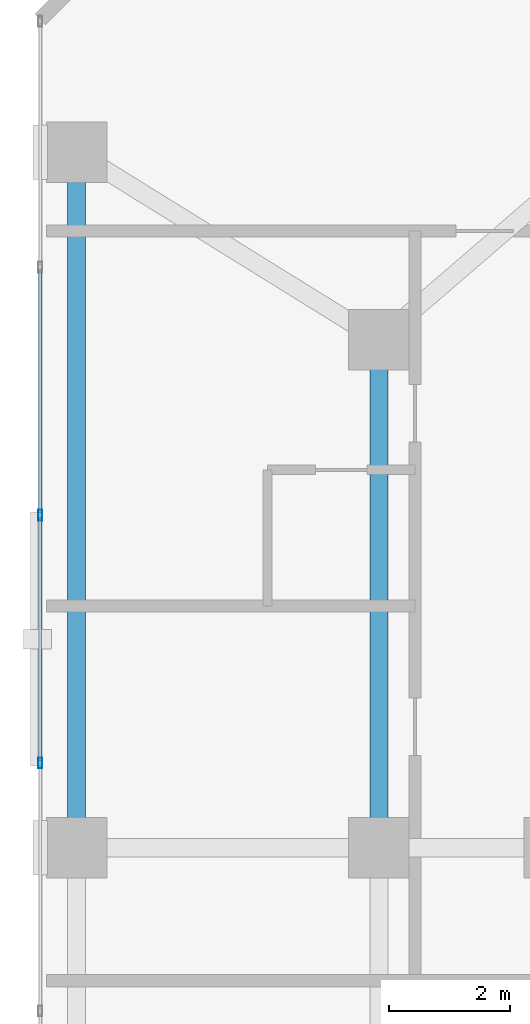
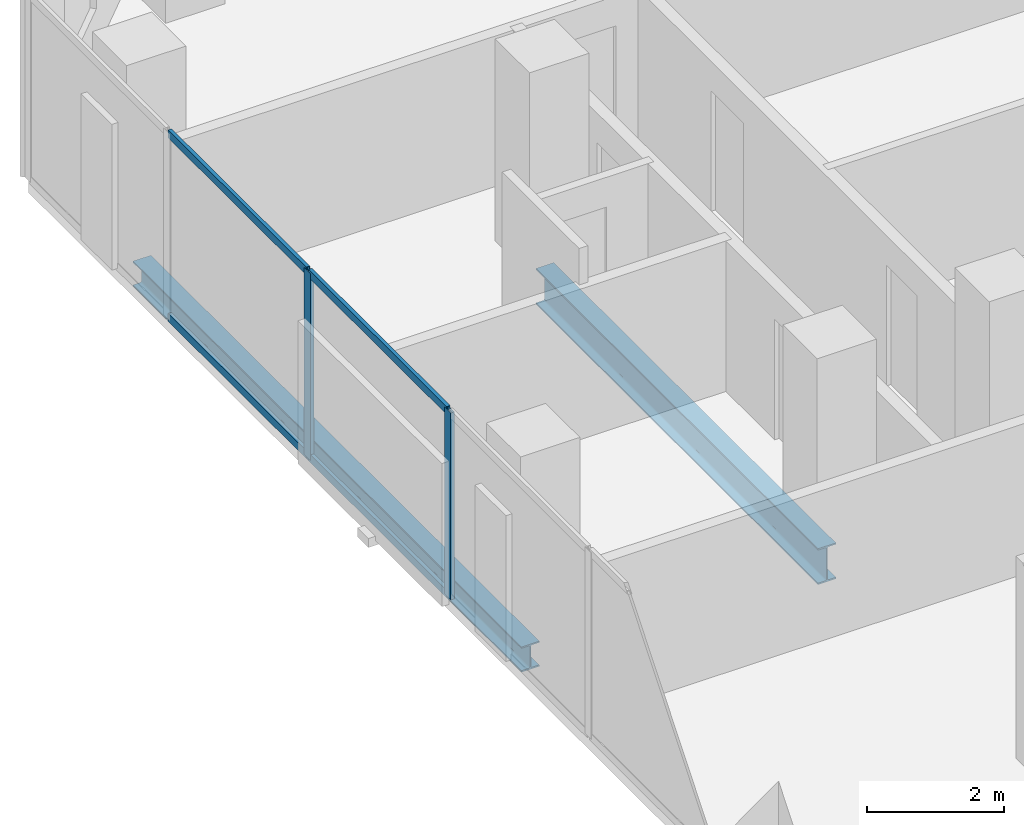
# One storey, part 16 of 31: 6 members, 2 beams, 1 element without a shape of its own.
"""IFC4 building model written with IfcOpenShell, lengths in metres."""

import ifcopenshell
import ifcopenshell.guid

model = None  # the IFC model being written
_history = None  # IfcOwnerHistory: only IFC2X3 demands one
_inside = {}  # id of a spatial element -> (the spatial element, [elements in it])
_under = {}  # id of a project, library or spatial element -> (it, [spatial elements below it])
_declared = {}  # id of a project -> (the project, [libraries it declares])
_typed = {}  # id of a type object -> (the type object, [elements of that type])
_made_of = {}  # id of a material, layer set ... -> (it, [elements and type objects made of it])


def new_model(schema):
    """Start an empty IFC model of exactly this schema.

    Asked for "IFC4X3", IfcOpenShell would pick the latest addendum, in which some entities
    have other attributes; the version numbers below select the first issue.
    IFC2X3 requires an IfcOwnerHistory on every rooted entity: one is made here for all.
    """
    global model, _history
    if schema == "IFC4X3":
        model = ifcopenshell.file(schema_version=(4, 3, 0, 0))
    else:
        model = ifcopenshell.file(schema=schema)
    _inside.clear()
    _under.clear()
    _declared.clear()
    _typed.clear()
    _made_of.clear()
    _history = None
    if model.schema == "IFC2X3":
        org = make("IfcOrganization", Name="unknown")
        user = make(
            "IfcPersonAndOrganization",
            ThePerson=make("IfcPerson", FamilyName="unknown"),
            TheOrganization=org,
        )
        app = make(
            "IfcApplication",
            ApplicationDeveloper=org,
            Version="unknown",
            ApplicationFullName="unknown",
            ApplicationIdentifier="unknown",
        )
        _history = make(
            "IfcOwnerHistory",
            OwningUser=user,
            OwningApplication=app,
            ChangeAction="ADDED",
            CreationDate=0,
        )
    return model


def make(cls, **values):
    """One entity of the class cls with the attributes given. An attribute that is None is left unset."""
    return model.create_entity(
        cls, **{name: value for name, value in values.items() if value is not None}
    )


def rooted(cls, **values):
    """An entity with a GlobalId (a new one), such as an element, a storey or a relation."""
    return make(cls, GlobalId=ifcopenshell.guid.new(), OwnerHistory=_history, **values)


def si_unit(unit_type, name, prefix=None):
    """IfcSIUnit, for example si_unit("LENGTHUNIT", "METRE", prefix="MILLI")."""
    return make("IfcSIUnit", UnitType=unit_type, Prefix=prefix, Name=name)


def assignment(units):
    """IfcUnitAssignment: the units of a project."""
    return None if units is None else make("IfcUnitAssignment", Units=units)


def point(xyz):
    """IfcCartesianPoint."""
    return None if xyz is None else make("IfcCartesianPoint", Coordinates=xyz)


def direction(xyz):
    """IfcDirection."""
    return None if xyz is None else make("IfcDirection", DirectionRatios=xyz)


def frame(location, z_axis=None, x_axis=None):
    """IfcAxis2Placement3D, a coordinate frame: its origin and axes. An axis left out is left unset."""
    return make(
        "IfcAxis2Placement3D",
        Location=point(location),
        Axis=direction(z_axis),
        RefDirection=direction(x_axis),
    )


def frame_2d(location, x_axis=None):
    """IfcAxis2Placement2D, a coordinate frame in the plane: its origin and x axis."""
    return make(
        "IfcAxis2Placement2D", Location=point(location), RefDirection=direction(x_axis)
    )


def origin():
    """The frame at (0, 0, 0) with its axes left unset."""
    return frame((0.0, 0.0, 0.0))


def origin_2d():
    """The frame at (0, 0) in the plane with its x axis left unset."""
    return frame_2d((0.0, 0.0))


def place(relative_to, where):
    """IfcLocalPlacement: puts the frame where relative to a parent placement (None: the world)."""
    return make(
        "IfcLocalPlacement", PlacementRelTo=relative_to, RelativePlacement=where
    )


def context(
    kind, dimensions, precision=None, world=None, true_north=None, identifier=None
):
    """IfcGeometricRepresentationContext, for example the 3D "Model" context."""
    return make(
        "IfcGeometricRepresentationContext",
        ContextIdentifier=identifier,
        ContextType=kind,
        CoordinateSpaceDimension=dimensions,
        Precision=precision,
        WorldCoordinateSystem=world,
        TrueNorth=true_north,
    )


def subcontext(parent, identifier, kind, view, scale=None):
    """IfcGeometricRepresentationSubContext, for example "Body" below "Model"."""
    return make(
        "IfcGeometricRepresentationSubContext",
        ContextIdentifier=identifier,
        ContextType=kind,
        ParentContext=parent,
        TargetScale=scale,
        TargetView=view,
    )


def project(units=None, contexts=None):
    """IfcProject with its units and contexts."""
    return rooted(
        "IfcProject",
        Name="project",
        RepresentationContexts=contexts,
        UnitsInContext=assignment(units),
    )


def spatial(cls, under=None, at=None, **own):
    """A site, building, storey or space (cls), placed at a placement, below another one or the project."""
    s = rooted(cls, ObjectPlacement=at, **own)
    if under is not None:
        _under.setdefault(under.id(), (under, []))[1].append(s)
    return s


def profile(cls, at=None, kind="AREA", **sizes):
    """A parametric profile (cls). Its sizes go by their IFC names, for example OverallWidth=200.0."""
    return make(cls, ProfileType=kind, Position=at, **sizes)


def hollow_rectangle(**sizes):
    """IfcRectangleHollowProfileDef."""
    return profile("IfcRectangleHollowProfileDef", **sizes)


def i_section(**sizes):
    """IfcIShapeProfileDef."""
    return profile("IfcIShapeProfileDef", **sizes)


def extrude(swept, where, along, depth):
    """IfcExtrudedAreaSolid: the profile swept, set in the frame where, extruded along a direction by depth."""
    return make(
        "IfcExtrudedAreaSolid",
        SweptArea=swept,
        Position=where,
        ExtrudedDirection=direction(along),
        Depth=depth,
    )


def shape(context_of_items, identifier, shape_type, items):
    """IfcShapeRepresentation: the items that make up one representation, for example the "Body"."""
    return make(
        "IfcShapeRepresentation",
        ContextOfItems=context_of_items,
        RepresentationIdentifier=identifier,
        RepresentationType=shape_type,
        Items=items,
    )


def material(Name=None, Category=None):
    """IfcMaterial."""
    return make("IfcMaterial", Name=Name, Category=Category)


def layer(
    of_material, thickness, ventilated=None, Name=None, Category=None, Priority=None
):
    """IfcMaterialLayer: one layer of a wall or slab, of a material (None: an air gap)."""
    return make(
        "IfcMaterialLayer",
        Material=of_material,
        LayerThickness=thickness,
        IsVentilated=ventilated,
        Name=Name,
        Category=Category,
        Priority=Priority,
    )


def layer_set(layers, Name=None):
    """IfcMaterialLayerSet."""
    return make("IfcMaterialLayerSet", MaterialLayers=layers, LayerSetName=Name)


def material_profile(
    of_material, cross_section, Name=None, Category=None, Priority=None
):
    """IfcMaterialProfile: a cross section and its material."""
    return make(
        "IfcMaterialProfile",
        Name=Name,
        Material=of_material,
        Profile=cross_section,
        Priority=Priority,
        Category=Category,
    )


def profile_set(profiles, Name=None, composite=None):
    """IfcMaterialProfileSet."""
    return make(
        "IfcMaterialProfileSet",
        Name=Name,
        MaterialProfiles=profiles,
        CompositeProfile=composite,
    )


def made_of(thing, what):
    """Note that an element or type object is made of a material, layer set ...; save() writes the relation."""
    if what is not None:
        _made_of.setdefault(what.id(), (what, []))[1].append(thing)
    return thing


def type_object(cls, material=None, **own):
    """A type object (cls), such as IfcWallType, which elements share."""
    return made_of(rooted(cls, **own), material)


def element(
    cls,
    number,
    at=None,
    inside=None,
    cuts=None,
    type_object=None,
    material=None,
    context=None,
    identifier="Body",
    shape_type=None,
    held_by="IfcProductDefinitionShape",
    body=None,
    shapes=None,
    **own,
):
    """One element of the class cls, such as IfcWall. Its Tag is "e" and its number.

    at: its placement. inside: the storey or other place that contains it. cuts: it is an
    opening in that element (IfcRelVoidsElement). A single representation is given by context,
    identifier, shape_type and body (its items); several are given by shapes. held_by: the class
    of the entity that holds the representations. save() writes the other relations.
    """
    e = rooted(cls, Tag="e%d" % number, ObjectPlacement=at, **own)
    if body is not None:
        shapes = [shape(context, identifier, shape_type, body)]
    if shapes is not None:
        e.Representation = make(held_by, Representations=shapes)
    if inside is not None:
        _inside.setdefault(inside.id(), (inside, []))[1].append(e)
    if cuts is not None:
        rooted(
            "IfcRelVoidsElement", RelatingBuildingElement=cuts, RelatedOpeningElement=e
        )
    if type_object is not None:
        _typed.setdefault(type_object.id(), (type_object, []))[1].append(e)
    return made_of(e, material)


def aggregate(whole, parts):
    """IfcRelAggregates: a whole, such as a stair, and the parts it consists of."""
    return rooted("IfcRelAggregates", RelatingObject=whole, RelatedObjects=parts)


def save(model, path):
    """Write the relations noted so far, then the file.

    IfcRelAggregates (storeys below a building ...), IfcRelContainedInSpatialStructure (elements
    in a storey), IfcRelDefinesByType, IfcRelAssociatesMaterial and IfcRelDeclares: one each for
    every whole, place, type object, material and project.
    """
    for whole, parts in _under.values():
        aggregate(whole, parts)
    for where, things in _inside.values():
        rooted(
            "IfcRelContainedInSpatialStructure",
            RelatedElements=things,
            RelatingStructure=where,
        )
    for kind, things in _typed.values():
        rooted("IfcRelDefinesByType", RelatedObjects=things, RelatingType=kind)
    for what, things in _made_of.values():
        rooted("IfcRelAssociatesMaterial", RelatedObjects=things, RelatingMaterial=what)
    for by, libraries in _declared.values():
        rooted("IfcRelDeclares", RelatingContext=by, RelatedDefinitions=libraries)
    model.write(path)


model = new_model("IFC4")

# Units and contexts
model_context = context("Model", 3, precision=1e-05, world=origin(), true_north=direction((0.0, 1.0)))
body_context = subcontext(model_context, "Body", "Model", "MODEL_VIEW")
ifc_project = project(units=[si_unit("LENGTHUNIT", "METRE"), si_unit("AREAUNIT", "SQUARE_METRE"), si_unit("VOLUMEUNIT", "CUBIC_METRE"), si_unit("PLANEANGLEUNIT", "RADIAN"), si_unit("MASSUNIT", "GRAM", prefix="KILO")], contexts=[model_context])

# Site, building, storey
site_placement = place(None, origin())
site = spatial("IfcSite", under=ifc_project, at=site_placement, CompositionType="ELEMENT")
building_placement = place(site_placement, origin())
building = spatial("IfcBuilding", under=site, at=building_placement, Name="Catumbela Crestline Tower", CompositionType="ELEMENT")
storey_placement = place(building_placement, frame((0.0, 0.0, 25.8)))
storey = spatial("IfcBuildingStorey", under=building, at=storey_placement, Name="L05", CompositionType="ELEMENT", Elevation=25.8)

# Beam
ifc_material_1 = material(Name="Structural steel S355J2", Category="steel")
ifc_material_profile_1 = material_profile(ifc_material_1, i_section(OverallWidth=0.3, OverallDepth=0.64, WebThickness=0.0135, FlangeThickness=0.026, FilletRadius=0.027, at=origin_2d()), Name="HEA 650")
ifc_profile_set_1 = profile_set([ifc_material_profile_1], Name="Structural steel S355J2")
beam_type_1 = type_object("IfcBeamType", Name="BG-HEA650", PredefinedType="BEAM", material=ifc_profile_set_1)
beam_1_placement = place(storey_placement, frame((5.6, 30.88, -0.58), z_axis=(0.0, 1.0, 0.0), x_axis=(-1.0, 0.0, 0.0)))
element("IfcBeam", 1, at=beam_1_placement, inside=storey, type_object=beam_type_1, Name="L05 Beam BM-L05-SN28", PredefinedType="BEAM", context=body_context, shape_type="SweptSolid", body=[
    extrude(i_section(OverallWidth=0.3, OverallDepth=0.64, WebThickness=0.0135, FlangeThickness=0.026, FilletRadius=0.027, at=origin_2d()), origin(), (0.0, 0.0, 1.0), 8.24),
])

# Curtain wall, members
ifc_material_2 = material(Name="Aluminium alloy AW-6060-T66", Category="aluminium")
ifc_layer = layer(ifc_material_2, 0.18, Name="Aluminium alloy AW-6060-T66")
ifc_layer_set = layer_set([ifc_layer], Name="Aluminium alloy AW-6060-T66")
curtain_wall_type = type_object("IfcCurtainWallType", Name="CWU-Z1", PredefinedType="USERDEFINED", material=ifc_layer_set)
curtain_wall_placement = place(storey_placement, origin())
curtain_wall = element("IfcCurtainWall", 2, at=curtain_wall_placement, inside=storey, type_object=curtain_wall_type, Name="L05 Unitised Curtain Wall CW-L05-E9S1", ObjectType="UNITISED", PredefinedType="USERDEFINED")
ifc_material_profile_2 = material_profile(ifc_material_2, hollow_rectangle(XDim=0.065, YDim=0.18, WallThickness=0.004, at=origin_2d()), Name="ALU 180x65x4")
ifc_profile_set_2 = profile_set([ifc_material_profile_2], Name="Aluminium alloy AW-6060-T66")
member_type_1 = type_object("IfcMemberType", Name="MUL-180X65", PredefinedType="MULLION", material=ifc_profile_set_2)
member_1_placement = place(storey_placement, frame((0.0, 36.3, 0.0), z_axis=(0.0, 0.0, 1.0), x_axis=(1.0, 0.0, 0.0)))
member_1 = element("IfcMember", 3, at=member_1_placement, type_object=member_type_1, Name="CWU-Z1 mullion 3", PredefinedType="MULLION", context=body_context, shape_type="SweptSolid", body=[
    extrude(hollow_rectangle(XDim=0.065, YDim=0.18, WallThickness=0.004, at=origin_2d()), origin(), (0.0, 0.0, 1.0), 3.33),
])
member_2_placement = place(storey_placement, frame((0.0, 32.2, 0.0), z_axis=(0.0, 0.0, 1.0), x_axis=(1.0, 0.0, 0.0)))
member_2 = element("IfcMember", 4, at=member_2_placement, type_object=member_type_1, Name="CWU-Z1 mullion 4", PredefinedType="MULLION", context=body_context, shape_type="SweptSolid", body=[
    extrude(hollow_rectangle(XDim=0.065, YDim=0.18, WallThickness=0.004, at=origin_2d()), origin(), (0.0, 0.0, 1.0), 3.33),
])

# Beam
ifc_material_profile_3 = material_profile(ifc_material_1, i_section(OverallWidth=0.3, OverallDepth=0.45, WebThickness=0.014, FlangeThickness=0.026, FilletRadius=0.027, at=origin_2d()), Name="HEB 450")
ifc_profile_set_3 = profile_set([ifc_material_profile_3], Name="Structural steel S355J2")
beam_type_2 = type_object("IfcBeamType", Name="BS-HEB450", PredefinedType="SPANDREL", material=ifc_profile_set_3)
beam_2_placement = place(storey_placement, frame((0.6, 30.88, -0.485), z_axis=(0.0, 1.0, 0.0), x_axis=(-1.0, 0.0, 0.0)))
element("IfcBeam", 5, at=beam_2_placement, inside=storey, type_object=beam_type_2, Name="L05 Spandrel SP-L05-SN26", PredefinedType="SPANDREL", context=body_context, shape_type="SweptSolid", body=[
    extrude(i_section(OverallWidth=0.3, OverallDepth=0.45, WebThickness=0.014, FlangeThickness=0.026, FilletRadius=0.027, at=origin_2d()), origin(), (0.0, 0.0, 1.0), 11.34),
])

# Member
ifc_material_profile_4 = material_profile(ifc_material_2, hollow_rectangle(XDim=0.06, YDim=0.14, WallThickness=0.004, at=origin_2d()), Name="ALU 140x60x4")
ifc_profile_set_4 = profile_set([ifc_material_profile_4], Name="Aluminium alloy AW-6060-T66")
member_type_2 = type_object("IfcMemberType", Name="TRN-140X60", PredefinedType="USERDEFINED", material=ifc_profile_set_4)
member_3_placement = place(storey_placement, frame((0.0, 40.3675, 0.03), z_axis=(0.0, -1.0, 0.0), x_axis=(1.0, 0.0, 0.0)))
member_3 = element("IfcMember", 6, at=member_3_placement, type_object=member_type_2, Name="CWU-Z1 transom 2.1", ObjectType="TRANSOM", PredefinedType="USERDEFINED", context=body_context, shape_type="SweptSolid", body=[
    extrude(hollow_rectangle(XDim=0.06, YDim=0.14, WallThickness=0.004, at=origin_2d()), origin(), (0.0, 0.0, 1.0), 4.035),
])

member_4_placement = place(storey_placement, frame((0.0, 40.3675, 3.3), z_axis=(0.0, -1.0, 0.0), x_axis=(1.0, 0.0, 0.0)))
member_4 = element("IfcMember", 7, at=member_4_placement, type_object=member_type_2, Name="CWU-Z1 transom 2.2", ObjectType="TRANSOM", PredefinedType="USERDEFINED", context=body_context, shape_type="SweptSolid", body=[
    extrude(hollow_rectangle(XDim=0.06, YDim=0.14, WallThickness=0.004, at=origin_2d()), origin(), (0.0, 0.0, 1.0), 4.035),
])

member_5_placement = place(storey_placement, frame((0.0, 36.2675, 0.03), z_axis=(0.0, -1.0, 0.0), x_axis=(1.0, 0.0, 0.0)))
member_5 = element("IfcMember", 8, at=member_5_placement, type_object=member_type_2, Name="CWU-Z1 transom 3.1", ObjectType="TRANSOM", PredefinedType="USERDEFINED", context=body_context, shape_type="SweptSolid", body=[
    extrude(hollow_rectangle(XDim=0.06, YDim=0.14, WallThickness=0.004, at=origin_2d()), origin(), (0.0, 0.0, 1.0), 4.035),
])

member_6_placement = place(storey_placement, frame((0.0, 36.2675, 3.3), z_axis=(0.0, -1.0, 0.0), x_axis=(1.0, 0.0, 0.0)))
member_6 = element("IfcMember", 9, at=member_6_placement, type_object=member_type_2, Name="CWU-Z1 transom 3.2", ObjectType="TRANSOM", PredefinedType="USERDEFINED", context=body_context, shape_type="SweptSolid", body=[
    extrude(hollow_rectangle(XDim=0.06, YDim=0.14, WallThickness=0.004, at=origin_2d()), origin(), (0.0, 0.0, 1.0), 4.035),
])

aggregate(curtain_wall, [member_1, member_2, member_3, member_4, member_5, member_6])

save(model, "model.ifc")
